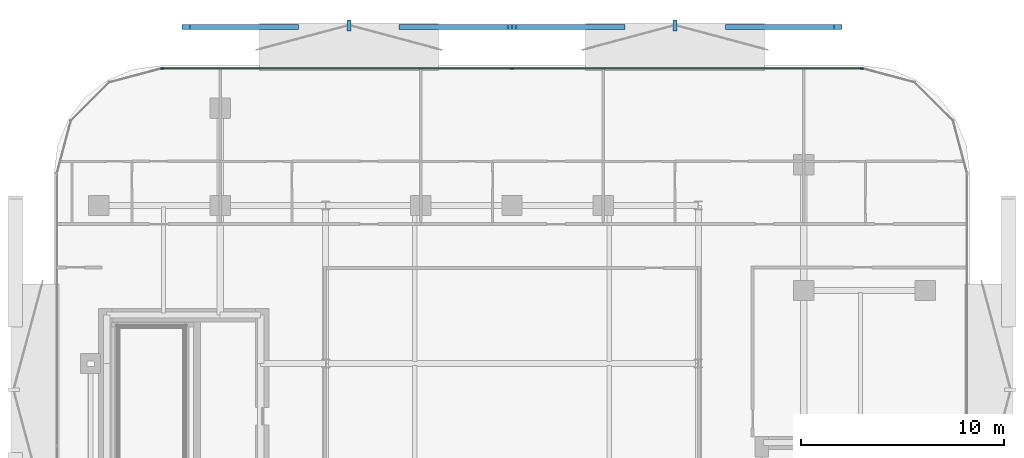
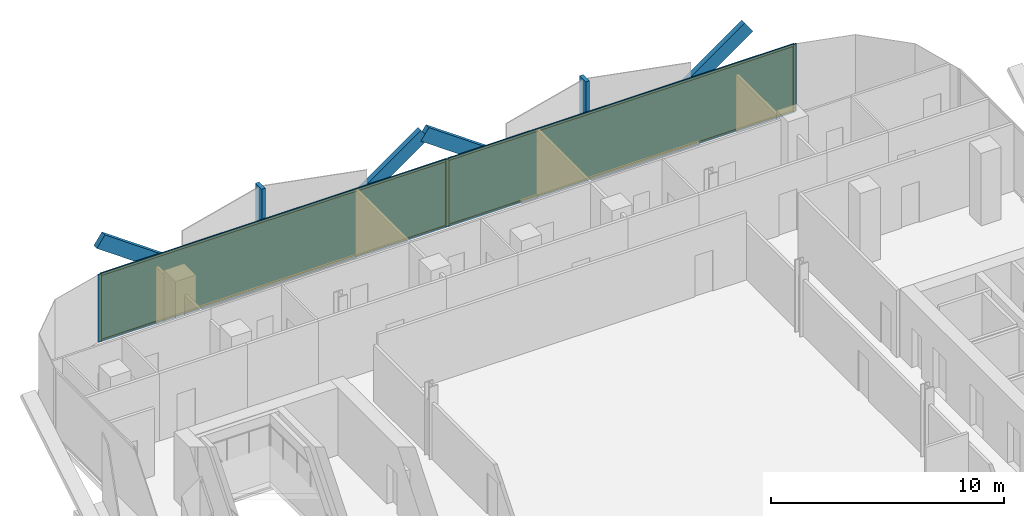
# One storey, part 12 of 17: 13 members, 2 plates, 1 curtain wall.
"""IFC4 building model written with IfcOpenShell, lengths in metres."""

from ifc_helpers import new_model, si_unit, direction, frame, frame_2d, origin, origin_2d, place, context, subcontext, project, spatial, rectangle, extrude, material, layer, layer_set, material_profile, profile_set, type_object, element, aggregate, save


model = new_model("IFC4")

# Units and contexts
model_context = context("Model", 3, precision=1e-05, world=origin(), true_north=direction((0.0, 1.0)))
body_context = subcontext(model_context, "Body", "Model", "MODEL_VIEW")
ifc_project = project(units=[si_unit("LENGTHUNIT", "METRE"), si_unit("AREAUNIT", "SQUARE_METRE"), si_unit("VOLUMEUNIT", "CUBIC_METRE"), si_unit("PLANEANGLEUNIT", "RADIAN"), si_unit("MASSUNIT", "GRAM", prefix="KILO")], contexts=[model_context])

# Member
ifc_material_1 = material(Name="Anodised Bronze Aluminium 6063-T6", Category="aluminium")
ifc_material_profile_1 = material_profile(ifc_material_1, rectangle(XDim=0.260009765625, YDim=0.699951171875, at=origin_2d()))
ifc_profile_set_1 = profile_set([ifc_material_profile_1], Name="Anodised Bronze Aluminium 6063-T6")
member_type_1 = type_object("IfcMemberType", Name="Bronze Diamond Solar-Screen Lattice Rib BDL-700", PredefinedType="MULLION", material=ifc_profile_set_1)
site_placement = place(None, origin())
building_placement = place(site_placement, origin())
storey_placement = place(building_placement, frame((0.0, 0.0, 168.800048828125)))
member_1_placement = place(storey_placement, frame((-5.363525390625, 27.39990234375, -0.130126953125), z_axis=(0.815960970702, 0.0, 0.578106992079), x_axis=(0.0, 1.0, 0.0)))
member_1 = element("IfcMember", 1, at=member_1_placement, type_object=member_type_1, Name="L38 Bronze Diamond Solar Screen Lattice Rib 245A", PredefinedType="MULLION", context=body_context, shape_type="SweptSolid", body=[
    extrude(rectangle(XDim=0.260009765625, YDim=0.699951171875, at=origin_2d()), origin(), (0.0, 0.0, 1.0), 6.5732421875),
])

member_2_placement = place(storey_placement, frame((-10.727294921875, 27.39990234375, -0.130126953125), z_axis=(-0.815960970702, 0.0, 0.578106992079), x_axis=(0.0, -1.0, 0.0)))
member_2 = element("IfcMember", 2, at=member_2_placement, type_object=member_type_1, Name="L38 Bronze Diamond Solar Screen Lattice Rib 245B", PredefinedType="MULLION", context=body_context, shape_type="SweptSolid", body=[
    extrude(rectangle(XDim=0.260009765625, YDim=0.699951171875, at=origin_2d()), origin(), (0.0, 0.0, 1.0), 6.5732421875),
])

member_3_placement = place(storey_placement, frame((10.727294921875, 27.39990234375, -0.130126953125), z_axis=(0.815960970702, 0.0, 0.578106992079), x_axis=(0.0, 1.0, 0.0)))
member_3 = element("IfcMember", 3, at=member_3_placement, type_object=member_type_1, Name="L38 Bronze Diamond Solar Screen Lattice Rib 246A", PredefinedType="MULLION", context=body_context, shape_type="SweptSolid", body=[
    extrude(rectangle(XDim=0.260009765625, YDim=0.699951171875, at=origin_2d()), origin(), (0.0, 0.0, 1.0), 6.5732421875),
])

member_4_placement = place(storey_placement, frame((5.363525390625, 27.39990234375, -0.130126953125), z_axis=(-0.815960970702, 0.0, 0.578106992079), x_axis=(0.0, -1.0, 0.0)))
member_4 = element("IfcMember", 4, at=member_4_placement, type_object=member_type_1, Name="L38 Bronze Diamond Solar Screen Lattice Rib 246B", PredefinedType="MULLION", context=body_context, shape_type="SweptSolid", body=[
    extrude(rectangle(XDim=0.260009765625, YDim=0.699951171875, at=origin_2d()), origin(), (0.0, 0.0, 1.0), 6.5732421875),
])

ifc_material_2 = material(Name="Anodised Bronze Aluminium 6063-T6", Category="aluminium")
ifc_material_profile_2 = material_profile(ifc_material_2, rectangle(XDim=0.179931640625, YDim=0.5400390625, at=origin_2d()))
ifc_profile_set_2 = profile_set([ifc_material_profile_2], Name="Anodised Bronze Aluminium 6063-T6")
member_type_2 = type_object("IfcMemberType", Name="Bronze Solar-Screen Vertical Fold Fin BSF-540", PredefinedType="MULLION", material=ifc_profile_set_2)
member_5_placement = place(storey_placement, frame((-8.04541015625, 27.47998046875, -0.130126953125), z_axis=(0.0, 0.0, 1.0), x_axis=(1.0, 0.0, 0.0)))
member_5 = element("IfcMember", 5, at=member_5_placement, type_object=member_type_2, Name="L38 Bronze Solar Screen Vertical Fin 245", PredefinedType="MULLION", context=body_context, shape_type="SweptSolid", body=[
    extrude(rectangle(XDim=0.179931640625, YDim=0.5400390625, at=origin_2d()), origin(), (0.0, 0.0, 1.0), 3.800048828125),
])

member_6_placement = place(storey_placement, frame((8.04541015625, 27.47998046875, -0.130126953125), z_axis=(0.0, 0.0, 1.0), x_axis=(1.0, 0.0, 0.0)))
member_6 = element("IfcMember", 6, at=member_6_placement, type_object=member_type_2, Name="L38 Bronze Solar Screen Vertical Fin 246", PredefinedType="MULLION", context=body_context, shape_type="SweptSolid", body=[
    extrude(rectangle(XDim=0.179931640625, YDim=0.5400390625, at=origin_2d()), origin(), (0.0, 0.0, 1.0), 3.800048828125),
])

ifc_material_3 = material(Name="Anodised Bronze Aluminium 6063-T6", Category="aluminium")
ifc_material_profile_3 = material_profile(ifc_material_3, rectangle(XDim=0.06005859375, YDim=0.1650390625, at=origin_2d()))
ifc_profile_set_3 = profile_set([ifc_material_profile_3], Name="Anodised Bronze Aluminium 6063-T6")
member_type_3 = type_object("IfcMemberType", Name="CW-Z3 Mullion 60x165", PredefinedType="MULLION", material=ifc_profile_set_3)
member_7_placement = place(storey_placement, frame((-17.2607421875, 25.360107421875, 0.0), z_axis=(0.0, 0.0, 1.0), x_axis=(0.0, 1.0, 0.0)))
member_7 = element("IfcMember", 7, at=member_7_placement, type_object=member_type_3, Name="CW-Z3 mullion 1", PredefinedType="MULLION", context=body_context, shape_type="SweptSolid", body=[
    extrude(rectangle(XDim=0.06005859375, YDim=0.1650390625, at=origin_2d()), origin(), (0.0, 0.0, 1.0), 3.5400390625),
])

member_8_placement = place(storey_placement, frame((0.0, 25.360107421875, 0.0), z_axis=(0.0, 0.0, 1.0), x_axis=(0.0, 1.0, 0.0)))
member_8 = element("IfcMember", 8, at=member_8_placement, type_object=member_type_3, Name="CW-Z3 mullion 2", PredefinedType="MULLION", context=body_context, shape_type="SweptSolid", body=[
    extrude(rectangle(XDim=0.06005859375, YDim=0.1650390625, at=origin_2d()), origin(), (0.0, 0.0, 1.0), 3.5400390625),
])

member_9_placement = place(storey_placement, frame((17.2607421875, 25.360107421875, 0.0), z_axis=(0.0, 0.0, 1.0), x_axis=(0.0, 1.0, 0.0)))
member_9 = element("IfcMember", 9, at=member_9_placement, type_object=member_type_3, Name="CW-Z3 mullion 3", PredefinedType="MULLION", context=body_context, shape_type="SweptSolid", body=[
    extrude(rectangle(XDim=0.06005859375, YDim=0.1650390625, at=origin_2d()), origin(), (0.0, 0.0, 1.0), 3.5400390625),
])

ifc_material_4 = material(Name="Anodised Bronze Aluminium 6063-T6", Category="aluminium")
ifc_material_profile_4 = material_profile(ifc_material_4, rectangle(XDim=0.06005859375, YDim=0.1298828125, at=origin_2d()))
ifc_profile_set_4 = profile_set([ifc_material_profile_4], Name="Anodised Bronze Aluminium 6063-T6")
member_type_4 = type_object("IfcMemberType", Name="CW-Z3 Transom 60x130", PredefinedType="USERDEFINED", material=ifc_profile_set_4)
member_10_placement = place(storey_placement, frame((-17.230712890625, 25.360107421875, 0.030029296875), z_axis=(1.0, 0.0, 0.0), x_axis=(0.0, 1.0, 0.0)))
member_10 = element("IfcMember", 10, at=member_10_placement, type_object=member_type_4, Name="CW-Z3 transom 1.1", ObjectType="TRANSOM", PredefinedType="USERDEFINED", context=body_context, shape_type="SweptSolid", body=[
    extrude(rectangle(XDim=0.06005859375, YDim=0.1298828125, at=origin_2d()), origin(), (0.0, 0.0, 1.0), 17.20068359375),
])

member_11_placement = place(storey_placement, frame((-17.230712890625, 25.360107421875, 3.510009765625), z_axis=(1.0, 0.0, 0.0), x_axis=(0.0, 1.0, 0.0)))
member_11 = element("IfcMember", 11, at=member_11_placement, type_object=member_type_4, Name="CW-Z3 transom 1.2", ObjectType="TRANSOM", PredefinedType="USERDEFINED", context=body_context, shape_type="SweptSolid", body=[
    extrude(rectangle(XDim=0.06005859375, YDim=0.1298828125, at=origin_2d()), origin(), (0.0, 0.0, 1.0), 17.20068359375),
])

member_12_placement = place(storey_placement, frame((0.030029296875, 25.360107421875, 0.030029296875), z_axis=(1.0, 0.0, 0.0), x_axis=(0.0, 1.0, 0.0)))
member_12 = element("IfcMember", 12, at=member_12_placement, type_object=member_type_4, Name="CW-Z3 transom 2.1", ObjectType="TRANSOM", PredefinedType="USERDEFINED", context=body_context, shape_type="SweptSolid", body=[
    extrude(rectangle(XDim=0.06005859375, YDim=0.1298828125, at=origin_2d()), origin(), (0.0, 0.0, 1.0), 17.20068359375),
])

member_13_placement = place(storey_placement, frame((0.030029296875, 25.360107421875, 3.510009765625), z_axis=(1.0, 0.0, 0.0), x_axis=(0.0, 1.0, 0.0)))
member_13 = element("IfcMember", 13, at=member_13_placement, type_object=member_type_4, Name="CW-Z3 transom 2.2", ObjectType="TRANSOM", PredefinedType="USERDEFINED", context=body_context, shape_type="SweptSolid", body=[
    extrude(rectangle(XDim=0.06005859375, YDim=0.1298828125, at=origin_2d()), origin(), (0.0, 0.0, 1.0), 17.20068359375),
])

# Plate
ifc_material_5 = material(Name="Low-E Solar Control Laminated Glass", Category="glass")
ifc_layer_1 = layer(ifc_material_5, 0.030029296875, Name="Low-E Solar Control Laminated Glass")
ifc_layer_set_1 = layer_set([ifc_layer_1], Name="Low-E Solar Control Laminated Glass")
plate_type = type_object("IfcPlateType", Name="CW-Z3 Low-E Double Glazed Panel 30mm", PredefinedType="CURTAIN_PANEL", material=ifc_layer_set_1)
plate_1_placement = place(storey_placement, frame((-8.63037109375, 25.360107421875, 0.06005859375), z_axis=(0.0, 0.0, 1.0), x_axis=(1.0, 0.0, 0.0)))
plate_1 = element("IfcPlate", 14, at=plate_1_placement, type_object=plate_type, Name="CW-Z3 panel 1.1", PredefinedType="CURTAIN_PANEL", context=body_context, shape_type="SweptSolid", body=[
    extrude(rectangle(XDim=17.20068359375, YDim=0.030029296875, at=origin_2d()), origin(), (0.0, 0.0, 1.0), 3.419921875),
])

plate_2_placement = place(storey_placement, frame((8.63037109375, 25.360107421875, 0.06005859375), z_axis=(0.0, 0.0, 1.0), x_axis=(1.0, 0.0, 0.0)))
plate_2 = element("IfcPlate", 15, at=plate_2_placement, type_object=plate_type, Name="CW-Z3 panel 2.1", PredefinedType="CURTAIN_PANEL", context=body_context, shape_type="SweptSolid", body=[
    extrude(rectangle(XDim=17.20068359375, YDim=0.030029296875, at=origin_2d()), origin(), (0.0, 0.0, 1.0), 3.419921875),
])

# Site, building, storey
site = spatial("IfcSite", under=ifc_project, at=site_placement, CompositionType="ELEMENT")
building = spatial("IfcBuilding", under=site, at=building_placement, Name="Khairoan Windgate Tower", CompositionType="ELEMENT")
storey = spatial("IfcBuildingStorey", under=building, at=storey_placement, Name="L38", CompositionType="ELEMENT", Elevation=168.800048828125)

# Curtain wall
ifc_material_6 = material(Name="Anodised Bronze Aluminium 6063-T6", Category="aluminium")
ifc_layer_2 = layer(ifc_material_6, 0.1650390625, Name="Anodised Bronze Aluminium 6063-T6")
ifc_layer_set_2 = layer_set([ifc_layer_2], Name="Anodised Bronze Aluminium 6063-T6")
curtain_wall_type = type_object("IfcCurtainWallType", Name="Luxury Hotel Acoustic Curtain Wall CW-Z3", PredefinedType="NOTDEFINED", material=ifc_layer_set_2)
curtain_wall_placement = place(storey_placement, frame((-17.290771484375, 25.360107421875, 0.0), z_axis=(0.0, 0.0, 1.0), x_axis=(1.0, 0.0, 0.0)))
curtain_wall = element("IfcCurtainWall", 16, at=curtain_wall_placement, inside=storey, type_object=curtain_wall_type, Name="L38 Unitised Curtain Wall 9", PredefinedType="NOTDEFINED", context=body_context, shape_type="SweptSolid", body=[
    extrude(rectangle(XDim=34.58154296875, YDim=0.010009765625, at=frame_2d((17.290771484375, 0.0))), origin(), (0.0, 0.0, 1.0), 3.5400390625),
])

aggregate(curtain_wall, [member_7, member_8, member_9, member_10, member_11, plate_1, member_12, member_13, plate_2, member_1, member_2, member_5, member_3, member_4, member_6])

save(model, "model.ifc")
